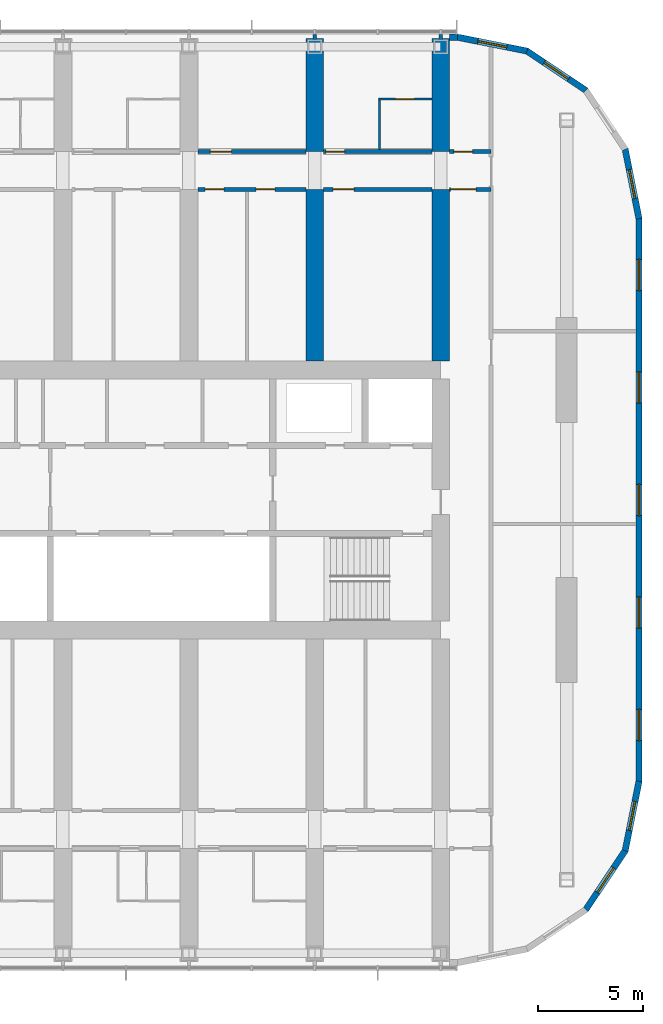
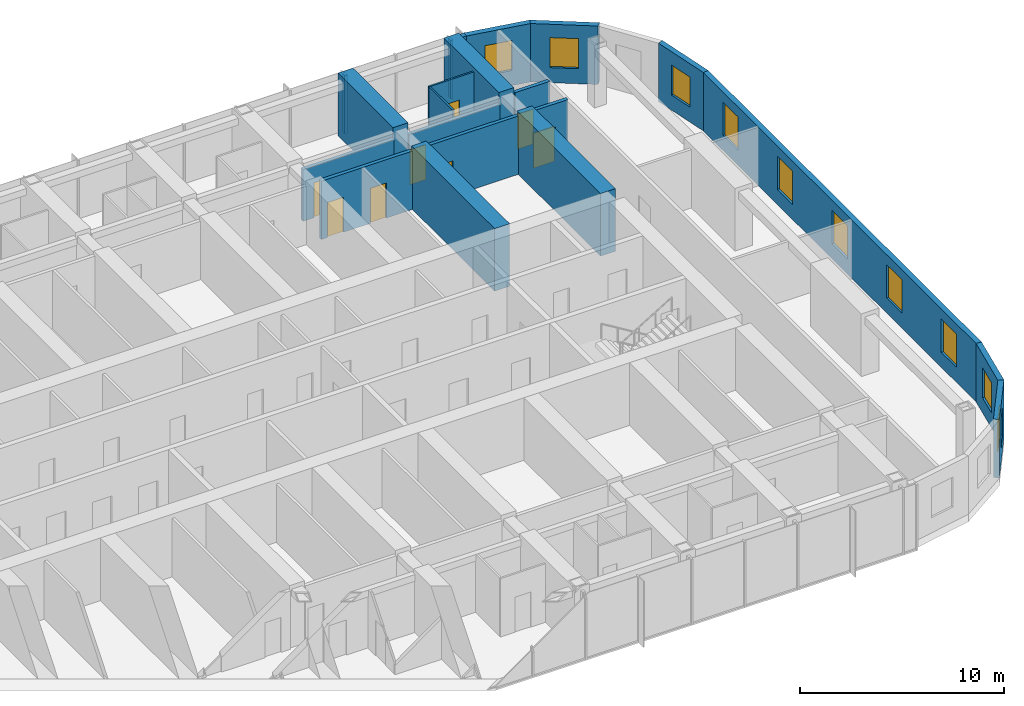
# One storey, part 21 of 29: 21 walls, 10 windows, 8 doors, 18 openings.
"""IFC4 building model written with IfcOpenShell, lengths in metres."""

import ifcopenshell
import ifcopenshell.guid

model = None  # the IFC model being written
_history = None  # IfcOwnerHistory: only IFC2X3 demands one
_inside = {}  # id of a spatial element -> (the spatial element, [elements in it])
_under = {}  # id of a project, library or spatial element -> (it, [spatial elements below it])
_declared = {}  # id of a project -> (the project, [libraries it declares])
_typed = {}  # id of a type object -> (the type object, [elements of that type])
_made_of = {}  # id of a material, layer set ... -> (it, [elements and type objects made of it])


def new_model(schema):
    """Start an empty IFC model of exactly this schema.

    Asked for "IFC4X3", IfcOpenShell would pick the latest addendum, in which some entities
    have other attributes; the version numbers below select the first issue.
    IFC2X3 requires an IfcOwnerHistory on every rooted entity: one is made here for all.
    """
    global model, _history
    if schema == "IFC4X3":
        model = ifcopenshell.file(schema_version=(4, 3, 0, 0))
    else:
        model = ifcopenshell.file(schema=schema)
    _inside.clear()
    _under.clear()
    _declared.clear()
    _typed.clear()
    _made_of.clear()
    _history = None
    if model.schema == "IFC2X3":
        org = make("IfcOrganization", Name="unknown")
        user = make(
            "IfcPersonAndOrganization",
            ThePerson=make("IfcPerson", FamilyName="unknown"),
            TheOrganization=org,
        )
        app = make(
            "IfcApplication",
            ApplicationDeveloper=org,
            Version="unknown",
            ApplicationFullName="unknown",
            ApplicationIdentifier="unknown",
        )
        _history = make(
            "IfcOwnerHistory",
            OwningUser=user,
            OwningApplication=app,
            ChangeAction="ADDED",
            CreationDate=0,
        )
    return model


def make(cls, **values):
    """One entity of the class cls with the attributes given. An attribute that is None is left unset."""
    return model.create_entity(
        cls, **{name: value for name, value in values.items() if value is not None}
    )


def rooted(cls, **values):
    """An entity with a GlobalId (a new one), such as an element, a storey or a relation."""
    return make(cls, GlobalId=ifcopenshell.guid.new(), OwnerHistory=_history, **values)


def si_unit(unit_type, name, prefix=None):
    """IfcSIUnit, for example si_unit("LENGTHUNIT", "METRE", prefix="MILLI")."""
    return make("IfcSIUnit", UnitType=unit_type, Prefix=prefix, Name=name)


def assignment(units):
    """IfcUnitAssignment: the units of a project."""
    return None if units is None else make("IfcUnitAssignment", Units=units)


def point(xyz):
    """IfcCartesianPoint."""
    return None if xyz is None else make("IfcCartesianPoint", Coordinates=xyz)


def direction(xyz):
    """IfcDirection."""
    return None if xyz is None else make("IfcDirection", DirectionRatios=xyz)


def frame(location, z_axis=None, x_axis=None):
    """IfcAxis2Placement3D, a coordinate frame: its origin and axes. An axis left out is left unset."""
    return make(
        "IfcAxis2Placement3D",
        Location=point(location),
        Axis=direction(z_axis),
        RefDirection=direction(x_axis),
    )


def frame_2d(location, x_axis=None):
    """IfcAxis2Placement2D, a coordinate frame in the plane: its origin and x axis."""
    return make(
        "IfcAxis2Placement2D", Location=point(location), RefDirection=direction(x_axis)
    )


def origin():
    """The frame at (0, 0, 0) with its axes left unset."""
    return frame((0.0, 0.0, 0.0))


def place(relative_to, where):
    """IfcLocalPlacement: puts the frame where relative to a parent placement (None: the world)."""
    return make(
        "IfcLocalPlacement", PlacementRelTo=relative_to, RelativePlacement=where
    )


def context(
    kind, dimensions, precision=None, world=None, true_north=None, identifier=None
):
    """IfcGeometricRepresentationContext, for example the 3D "Model" context."""
    return make(
        "IfcGeometricRepresentationContext",
        ContextIdentifier=identifier,
        ContextType=kind,
        CoordinateSpaceDimension=dimensions,
        Precision=precision,
        WorldCoordinateSystem=world,
        TrueNorth=true_north,
    )


def subcontext(parent, identifier, kind, view, scale=None):
    """IfcGeometricRepresentationSubContext, for example "Body" below "Model"."""
    return make(
        "IfcGeometricRepresentationSubContext",
        ContextIdentifier=identifier,
        ContextType=kind,
        ParentContext=parent,
        TargetScale=scale,
        TargetView=view,
    )


def project(units=None, contexts=None):
    """IfcProject with its units and contexts."""
    return rooted(
        "IfcProject",
        Name="project",
        RepresentationContexts=contexts,
        UnitsInContext=assignment(units),
    )


def spatial(cls, under=None, at=None, **own):
    """A site, building, storey or space (cls), placed at a placement, below another one or the project."""
    s = rooted(cls, ObjectPlacement=at, **own)
    if under is not None:
        _under.setdefault(under.id(), (under, []))[1].append(s)
    return s


def polyline(points):
    """IfcPolyline through the points."""
    return make("IfcPolyline", Points=[point(p) for p in points])


def profile(cls, at=None, kind="AREA", **sizes):
    """A parametric profile (cls). Its sizes go by their IFC names, for example OverallWidth=200.0."""
    return make(cls, ProfileType=kind, Position=at, **sizes)


def rectangle(**sizes):
    """IfcRectangleProfileDef."""
    return profile("IfcRectangleProfileDef", **sizes)


def outline(outer, holes=None, kind="AREA"):
    """IfcArbitraryClosedProfileDef: a profile drawn as a closed curve; with holes, ...WithVoids."""
    if holes is None:
        return make("IfcArbitraryClosedProfileDef", ProfileType=kind, OuterCurve=outer)
    return make(
        "IfcArbitraryProfileDefWithVoids",
        ProfileType=kind,
        OuterCurve=outer,
        InnerCurves=holes,
    )


def extrude(swept, where, along, depth):
    """IfcExtrudedAreaSolid: the profile swept, set in the frame where, extruded along a direction by depth."""
    return make(
        "IfcExtrudedAreaSolid",
        SweptArea=swept,
        Position=where,
        ExtrudedDirection=direction(along),
        Depth=depth,
    )


def shape(context_of_items, identifier, shape_type, items):
    """IfcShapeRepresentation: the items that make up one representation, for example the "Body"."""
    return make(
        "IfcShapeRepresentation",
        ContextOfItems=context_of_items,
        RepresentationIdentifier=identifier,
        RepresentationType=shape_type,
        Items=items,
    )


def material(Name=None, Category=None):
    """IfcMaterial."""
    return make("IfcMaterial", Name=Name, Category=Category)


def layer(
    of_material, thickness, ventilated=None, Name=None, Category=None, Priority=None
):
    """IfcMaterialLayer: one layer of a wall or slab, of a material (None: an air gap)."""
    return make(
        "IfcMaterialLayer",
        Material=of_material,
        LayerThickness=thickness,
        IsVentilated=ventilated,
        Name=Name,
        Category=Category,
        Priority=Priority,
    )


def layer_set(layers, Name=None):
    """IfcMaterialLayerSet."""
    return make("IfcMaterialLayerSet", MaterialLayers=layers, LayerSetName=Name)


def made_of(thing, what):
    """Note that an element or type object is made of a material, layer set ...; save() writes the relation."""
    if what is not None:
        _made_of.setdefault(what.id(), (what, []))[1].append(thing)
    return thing


def type_object(cls, material=None, **own):
    """A type object (cls), such as IfcWallType, which elements share."""
    return made_of(rooted(cls, **own), material)


def element(
    cls,
    number,
    at=None,
    inside=None,
    cuts=None,
    type_object=None,
    material=None,
    context=None,
    identifier="Body",
    shape_type=None,
    held_by="IfcProductDefinitionShape",
    body=None,
    shapes=None,
    **own,
):
    """One element of the class cls, such as IfcWall. Its Tag is "e" and its number.

    at: its placement. inside: the storey or other place that contains it. cuts: it is an
    opening in that element (IfcRelVoidsElement). A single representation is given by context,
    identifier, shape_type and body (its items); several are given by shapes. held_by: the class
    of the entity that holds the representations. save() writes the other relations.
    """
    e = rooted(cls, Tag="e%d" % number, ObjectPlacement=at, **own)
    if body is not None:
        shapes = [shape(context, identifier, shape_type, body)]
    if shapes is not None:
        e.Representation = make(held_by, Representations=shapes)
    if inside is not None:
        _inside.setdefault(inside.id(), (inside, []))[1].append(e)
    if cuts is not None:
        rooted(
            "IfcRelVoidsElement", RelatingBuildingElement=cuts, RelatedOpeningElement=e
        )
    if type_object is not None:
        _typed.setdefault(type_object.id(), (type_object, []))[1].append(e)
    return made_of(e, material)


def fill(opening, filler):
    """IfcRelFillsElement: the door or window that sits in an opening."""
    return rooted(
        "IfcRelFillsElement",
        RelatingOpeningElement=opening,
        RelatedBuildingElement=filler,
    )


def aggregate(whole, parts):
    """IfcRelAggregates: a whole, such as a stair, and the parts it consists of."""
    return rooted("IfcRelAggregates", RelatingObject=whole, RelatedObjects=parts)


def save(model, path):
    """Write the relations noted so far, then the file.

    IfcRelAggregates (storeys below a building ...), IfcRelContainedInSpatialStructure (elements
    in a storey), IfcRelDefinesByType, IfcRelAssociatesMaterial and IfcRelDeclares: one each for
    every whole, place, type object, material and project.
    """
    for whole, parts in _under.values():
        aggregate(whole, parts)
    for where, things in _inside.values():
        rooted(
            "IfcRelContainedInSpatialStructure",
            RelatedElements=things,
            RelatingStructure=where,
        )
    for kind, things in _typed.values():
        rooted("IfcRelDefinesByType", RelatedObjects=things, RelatingType=kind)
    for what, things in _made_of.values():
        rooted("IfcRelAssociatesMaterial", RelatedObjects=things, RelatingMaterial=what)
    for by, libraries in _declared.values():
        rooted("IfcRelDeclares", RelatingContext=by, RelatedDefinitions=libraries)
    model.write(path)


model = new_model("IFC4")

# Units and contexts
model_context = context("Model", 3, precision=1e-05, world=origin(), true_north=direction((0.0, 1.0)))
body_context = subcontext(model_context, "Body", "Model", "MODEL_VIEW")
ifc_project = project(units=[si_unit("LENGTHUNIT", "METRE"), si_unit("AREAUNIT", "SQUARE_METRE"), si_unit("VOLUMEUNIT", "CUBIC_METRE"), si_unit("PLANEANGLEUNIT", "RADIAN"), si_unit("MASSUNIT", "GRAM", prefix="KILO")], contexts=[model_context])

# Site, building, storey
site_placement = place(None, origin())
site = spatial("IfcSite", under=ifc_project, at=site_placement, CompositionType="ELEMENT")
building_placement = place(site_placement, origin())
building = spatial("IfcBuilding", under=site, at=building_placement, Name="Orbita Commons", CompositionType="ELEMENT")
storey_placement = place(building_placement, frame((0.0, 0.0, 148.60009765625)))
storey = spatial("IfcBuildingStorey", under=building, at=storey_placement, Name="L36", CompositionType="ELEMENT", Elevation=148.60009765625)

# Wall, opening, door
ifc_material_1 = material(Name="Concrete blockwork", Category="masonry")
ifc_layer_1 = layer(ifc_material_1, 0.199951171875)
ifc_layer_set_1 = layer_set([ifc_layer_1], Name="Concrete blockwork")
wall_type_1 = type_object("IfcWallType", Name="Corridor wall 200 blockwork", PredefinedType="SOLIDWALL", material=ifc_layer_set_1)
wall_1_placement = place(storey_placement, frame((54.425048828125, 48.60009765625, 0.0), z_axis=(0.0, 0.0, 1.0), x_axis=(1.0, 0.0, 0.0)))
wall_1 = element("IfcWall", 1, at=wall_1_placement, inside=storey, type_object=wall_type_1, Name="Corridor wall 200 blockwork L36", PredefinedType="SOLIDWALL", context=body_context, shape_type="SweptSolid", body=[
    extrude(outline(polyline([(0.0, 0.0), (5.14990234375, 0.0), (5.14990234375, 3.099853515625), (0.0, 3.099853515625), (0.0, 0.0)])), frame((0.0, 0.10009765625, 0.0), z_axis=(0.0, -1.0, 0.0), x_axis=(1.0, 0.0, 0.0)), (0.0, 0.0, 1.0), 0.199951171875),
])
opening_1_placement = place(wall_1_placement, frame((0.60009765625, 0.0, 0.0)))
opening_1 = element("IfcOpeningElement", 2, at=opening_1_placement, cuts=wall_1, Name="Opening D06", PredefinedType="OPENING", context=body_context, shape_type="SweptSolid", body=[
    extrude(rectangle(XDim=1.0, YDim=2.10009765625, at=frame_2d((0.5, 1.050048828125))), frame((0.0, 0.10986328125, 0.0), z_axis=(0.0, -1.0, 0.0), x_axis=(1.0, 0.0, 0.0)), (0.0, 0.0, 1.0), 0.219970703125),
])
ifc_material_2 = material(Name="Steel-faced fire door leaf", Category="steel")
door_type_1 = type_object("IfcDoorType", Name="Corridor door 20 min 1000x2100", OperationType="SINGLE_SWING_LEFT", PredefinedType="DOOR", material=ifc_material_2)
door_1_placement = place(opening_1_placement, origin())
door_1 = element("IfcDoor", 3, at=door_1_placement, inside=storey, type_object=door_type_1, Name="Cluster kitchen-diner L36-N12 door", OperationType="SINGLE_SWING_LEFT", OverallHeight=2.10009765625, OverallWidth=1.0, PredefinedType="DOOR", context=body_context, shape_type="SweptSolid", body=[
    extrude(rectangle(XDim=1.0, YDim=2.10009765625, at=frame_2d((0.5, 1.050048828125))), frame((0.0, 0.02490234375, 0.0), z_axis=(0.0, -1.0, 0.0), x_axis=(1.0, 0.0, 0.0)), (0.0, 0.0, 1.0), 0.050048828125),
])
fill(opening_1, door_1)

wall_2_placement = place(storey_placement, frame((60.425048828125, 48.60009765625, 0.0), z_axis=(0.0, 0.0, 1.0), x_axis=(1.0, 0.0, 0.0)))
wall_2 = element("IfcWall", 4, at=wall_2_placement, inside=storey, type_object=wall_type_1, Name="Corridor wall 200 blockwork L36", PredefinedType="SOLIDWALL", context=body_context, shape_type="SweptSolid", body=[
    extrude(outline(polyline([(0.0, 0.0), (5.14990234375, 0.0), (5.14990234375, 3.099853515625), (0.0, 3.099853515625), (0.0, 0.0)])), frame((0.0, 0.10009765625, 0.0), z_axis=(0.0, -1.0, 0.0), x_axis=(1.0, 0.0, 0.0)), (0.0, 0.0, 1.0), 0.199951171875),
])
opening_2_placement = place(wall_2_placement, frame((0.10009765625, 0.0, 0.0)))
opening_2 = element("IfcOpeningElement", 5, at=opening_2_placement, cuts=wall_2, Name="Opening D11", PredefinedType="OPENING", context=body_context, shape_type="SweptSolid", body=[
    extrude(rectangle(XDim=0.89990234375, YDim=2.10009765625, at=frame_2d((0.449951171875, 1.050048828125))), frame((0.0, 0.10986328125, 0.0), z_axis=(0.0, -1.0, 0.0), x_axis=(1.0, 0.0, 0.0)), (0.0, 0.0, 1.0), 0.219970703125),
])
ifc_material_3 = material(Name="Steel-faced fire door leaf", Category="steel")
door_type_2 = type_object("IfcDoorType", Name="Corridor door 20 min 900x2100", OperationType="SINGLE_SWING_LEFT", PredefinedType="DOOR", material=ifc_material_3)
door_2_placement = place(opening_2_placement, origin())
door_2 = element("IfcDoor", 6, at=door_2_placement, inside=storey, type_object=door_type_2, Name="Twin room L36-N14 door", OperationType="SINGLE_SWING_LEFT", OverallHeight=2.10009765625, OverallWidth=0.89990234375, PredefinedType="DOOR", context=body_context, shape_type="SweptSolid", body=[
    extrude(rectangle(XDim=0.89990234375, YDim=2.10009765625, at=frame_2d((0.449951171875, 1.050048828125))), frame((0.0, 0.02490234375, 0.0), z_axis=(0.0, -1.0, 0.0), x_axis=(1.0, 0.0, 0.0)), (0.0, 0.0, 1.0), 0.050048828125),
])
fill(opening_2, door_2)

wall_3_placement = place(storey_placement, frame((66.425048828125, 48.60009765625, 0.0), z_axis=(0.0, 0.0, 1.0), x_axis=(1.0, 0.0, 0.0)))
wall_3 = element("IfcWall", 7, at=wall_3_placement, inside=storey, type_object=wall_type_1, Name="Corridor wall 200 blockwork L36", PredefinedType="SOLIDWALL", context=body_context, shape_type="SweptSolid", body=[
    extrude(rectangle(XDim=1.974853515625, YDim=0.199951171875, at=frame_2d((0.9873046875, 0.0))), origin(), (0.0, 0.0, 1.0), 3.5),
])
opening_3_placement = place(wall_3_placement, frame((0.199951171875, 0.0, 0.0)))
opening_3 = element("IfcOpeningElement", 8, at=opening_3_placement, cuts=wall_3, Name="Opening D05", PredefinedType="OPENING", context=body_context, shape_type="SweptSolid", body=[
    extrude(rectangle(XDim=0.89990234375, YDim=2.10009765625, at=frame_2d((0.449951171875, 1.050048828125))), frame((0.0, 0.10986328125, 0.0), z_axis=(0.0, -1.0, 0.0), x_axis=(1.0, 0.0, 0.0)), (0.0, 0.0, 1.0), 0.219970703125),
])
ifc_material_4 = material(Name="Steel-faced fire door leaf", Category="steel")
door_type_3 = type_object("IfcDoorType", Name="Service door 20 min 900x2100", OperationType="SINGLE_SWING_LEFT", PredefinedType="DOOR", material=ifc_material_4)
door_3_placement = place(opening_3_placement, origin())
door_3 = element("IfcDoor", 9, at=door_3_placement, inside=storey, type_object=door_type_3, Name="Linen store L36-KEN door", OperationType="SINGLE_SWING_LEFT", OverallHeight=2.10009765625, OverallWidth=0.89990234375, PredefinedType="DOOR", context=body_context, shape_type="SweptSolid", body=[
    extrude(rectangle(XDim=0.89990234375, YDim=2.10009765625, at=frame_2d((0.449951171875, 1.050048828125))), frame((0.0, 0.02490234375, 0.0), z_axis=(0.0, -1.0, 0.0), x_axis=(1.0, 0.0, 0.0)), (0.0, 0.0, 1.0), 0.050048828125),
])
fill(opening_3, door_3)

# Wall, openings, doors
ifc_material_5 = material(Name="Hollow concrete block 200", Category="concrete")
ifc_layer_2 = layer(ifc_material_5, 0.199951171875)
ifc_layer_set_2 = layer_set([ifc_layer_2], Name="Hollow concrete block 200")
wall_type_2 = type_object("IfcWallType", Name="Corridor wall 200 hollow concrete block", PredefinedType="SOLIDWALL", material=ifc_layer_set_2)
wall_4_placement = place(storey_placement, frame((54.425048828125, 46.800048828125, 0.0), z_axis=(0.0, 0.0, 1.0), x_axis=(1.0, 0.0, 0.0)))
wall_4 = element("IfcWall", 10, at=wall_4_placement, inside=storey, type_object=wall_type_2, Name="Corridor wall 200 hollow concrete block L36", PredefinedType="SOLIDWALL", context=body_context, shape_type="SweptSolid", body=[
    extrude(rectangle(XDim=5.14990234375, YDim=0.199951171875, at=frame_2d((2.574951171875, 0.0))), origin(), (0.0, 0.0, 1.0), 3.5),
])
opening_4_placement = place(wall_4_placement, frame((0.35009765625, 0.0, 0.0)))
opening_4 = element("IfcOpeningElement", 11, at=opening_4_placement, cuts=wall_4, Name="Opening D11", PredefinedType="OPENING", context=body_context, shape_type="SweptSolid", body=[
    extrude(rectangle(XDim=0.89990234375, YDim=2.10009765625, at=frame_2d((0.449951171875, 1.050048828125))), frame((0.0, 0.10986328125, 0.0), z_axis=(0.0, -1.0, 0.0), x_axis=(1.0, 0.0, 0.0)), (0.0, 0.0, 1.0), 0.219970703125),
])
opening_5_placement = place(wall_4_placement, frame((2.77490234375, 0.0, 0.0)))
opening_5 = element("IfcOpeningElement", 12, at=opening_5_placement, cuts=wall_4, Name="Opening D11", PredefinedType="OPENING", context=body_context, shape_type="SweptSolid", body=[
    extrude(rectangle(XDim=0.89990234375, YDim=2.10009765625, at=frame_2d((0.449951171875, 1.050048828125))), frame((0.0, 0.10986328125, 0.0), z_axis=(0.0, -1.0, 0.0), x_axis=(1.0, 0.0, 0.0)), (0.0, 0.0, 1.0), 0.219970703125),
])
door_4_placement = place(opening_4_placement, origin())
door_4 = element("IfcDoor", 13, at=door_4_placement, inside=storey, type_object=door_type_2, Name="Battery and UPS room L36-BDN54n door", OperationType="SINGLE_SWING_LEFT", OverallHeight=2.10009765625, OverallWidth=0.89990234375, PredefinedType="DOOR", context=body_context, shape_type="SweptSolid", body=[
    extrude(rectangle(XDim=0.89990234375, YDim=2.10009765625, at=frame_2d((0.449951171875, 1.050048828125))), frame((0.0, 0.02490234375, 0.0), z_axis=(0.0, -1.0, 0.0), x_axis=(1.0, 0.0, 0.0)), (0.0, 0.0, 1.0), 0.050048828125),
])
fill(opening_4, door_4)
door_5_placement = place(opening_5_placement, origin())
door_5 = element("IfcDoor", 14, at=door_5_placement, inside=storey, type_object=door_type_2, Name="Parcel and post room L36-BDN54 door", OperationType="SINGLE_SWING_LEFT", OverallHeight=2.10009765625, OverallWidth=0.89990234375, PredefinedType="DOOR", context=body_context, shape_type="SweptSolid", body=[
    extrude(rectangle(XDim=0.89990234375, YDim=2.10009765625, at=frame_2d((0.449951171875, 1.050048828125))), frame((0.0, 0.02490234375, 0.0), z_axis=(0.0, -1.0, 0.0), x_axis=(1.0, 0.0, 0.0)), (0.0, 0.0, 1.0), 0.050048828125),
])
fill(opening_5, door_5)

# Wall, opening, door
wall_5_placement = place(storey_placement, frame((60.425048828125, 46.800048828125, 0.0), z_axis=(0.0, 0.0, 1.0), x_axis=(1.0, 0.0, 0.0)))
wall_5 = element("IfcWall", 15, at=wall_5_placement, inside=storey, type_object=wall_type_2, Name="Corridor wall 200 hollow concrete block L36", PredefinedType="SOLIDWALL", context=body_context, shape_type="SweptSolid", body=[
    extrude(rectangle(XDim=5.14990234375, YDim=0.199951171875, at=frame_2d((2.574951171875, 0.0))), origin(), (0.0, 0.0, 1.0), 3.5),
])
opening_6_placement = place(wall_5_placement, frame((0.449951171875, 0.0, 0.0)))
opening_6 = element("IfcOpeningElement", 16, at=opening_6_placement, cuts=wall_5, Name="Opening D06", PredefinedType="OPENING", context=body_context, shape_type="SweptSolid", body=[
    extrude(rectangle(XDim=1.0, YDim=2.10009765625, at=frame_2d((0.5, 1.050048828125))), frame((0.0, 0.10986328125, 0.0), z_axis=(0.0, -1.0, 0.0), x_axis=(1.0, 0.0, 0.0)), (0.0, 0.0, 1.0), 0.219970703125),
])
door_6_placement = place(opening_6_placement, origin())
door_6 = element("IfcDoor", 17, at=door_6_placement, inside=storey, type_object=door_type_1, Name="Store L36-BDN60 door", OperationType="SINGLE_SWING_LEFT", OverallHeight=2.10009765625, OverallWidth=1.0, PredefinedType="DOOR", context=body_context, shape_type="SweptSolid", body=[
    extrude(rectangle(XDim=1.0, YDim=2.10009765625, at=frame_2d((0.5, 1.050048828125))), frame((0.0, 0.02490234375, 0.0), z_axis=(0.0, -1.0, 0.0), x_axis=(1.0, 0.0, 0.0)), (0.0, 0.0, 1.0), 0.050048828125),
])
fill(opening_6, door_6)

wall_6_placement = place(storey_placement, frame((66.425048828125, 46.800048828125, 0.0), z_axis=(0.0, 0.0, 1.0), x_axis=(1.0, 0.0, 0.0)))
wall_6 = element("IfcWall", 18, at=wall_6_placement, inside=storey, type_object=wall_type_2, Name="Corridor wall 200 hollow concrete block L36", PredefinedType="SOLIDWALL", context=body_context, shape_type="SweptSolid", body=[
    extrude(rectangle(XDim=1.974853515625, YDim=0.199951171875, at=frame_2d((0.9873046875, 0.0))), origin(), (0.0, 0.0, 1.0), 3.5),
])
opening_7_placement = place(wall_6_placement, frame((0.050048828125, 0.0, 0.0)))
opening_7 = element("IfcOpeningElement", 19, at=opening_7_placement, cuts=wall_6, Name="Opening D12", PredefinedType="OPENING", context=body_context, shape_type="SweptSolid", body=[
    extrude(rectangle(XDim=1.199951171875, YDim=2.10009765625, at=frame_2d((0.60009765625, 1.050048828125))), frame((0.0, 0.10986328125, 0.0), z_axis=(0.0, -1.0, 0.0), x_axis=(1.0, 0.0, 0.0)), (0.0, 0.0, 1.0), 0.219970703125),
])
ifc_material_6 = material(Name="Steel-faced fire door leaf", Category="steel")
door_type_4 = type_object("IfcDoorType", Name="Double corridor door 20 min 1200x2100", OperationType="DOUBLE_DOOR_SINGLE_SWING", PredefinedType="DOOR", material=ifc_material_6)
door_7_placement = place(opening_7_placement, origin())
door_7 = element("IfcDoor", 20, at=door_7_placement, inside=storey, type_object=door_type_4, Name="Cross corridor doors", OperationType="DOUBLE_DOOR_SINGLE_SWING", OverallHeight=2.10009765625, OverallWidth=1.199951171875, PredefinedType="DOOR", context=body_context, shape_type="SweptSolid", body=[
    extrude(rectangle(XDim=1.199951171875, YDim=2.10009765625, at=frame_2d((0.60009765625, 1.050048828125))), frame((0.0, 0.02490234375, 0.0), z_axis=(0.0, -1.0, 0.0), x_axis=(1.0, 0.0, 0.0)), (0.0, 0.0, 1.0), 0.050048828125),
])
fill(opening_7, door_7)

# Walls
ifc_material_7 = material(Name="Concrete C50/60", Category="concrete")
ifc_layer_3 = layer(ifc_material_7, 0.85009765625)
ifc_layer_set_3 = layer_set([ifc_layer_3], Name="Concrete C50/60")
wall_type_3 = type_object("IfcWallType", Name="Cross wall 850 C50/60", PredefinedType="SHEAR", material=ifc_layer_set_3)
wall_7_placement = place(storey_placement, frame((60.0, 48.60009765625, 0.0), z_axis=(0.0, 0.0, 1.0), x_axis=(0.0, 1.0, 0.0)))
element("IfcWall", 21, at=wall_7_placement, inside=storey, type_object=wall_type_3, Name="Cross wall 11 north outer L36", PredefinedType="SHEAR", context=body_context, shape_type="SweptSolid", body=[
    extrude(rectangle(XDim=5.39990234375, YDim=0.85009765625, at=frame_2d((2.699951171875, 0.0))), origin(), (0.0, 0.0, 1.0), 3.75),
])
wall_8_placement = place(storey_placement, frame((60.0, 38.625, 0.0), z_axis=(0.0, 0.0, 1.0), x_axis=(0.0, 1.0, 0.0)))
element("IfcWall", 22, at=wall_8_placement, inside=storey, type_object=wall_type_3, Name="Cross wall 11 north inner L36", PredefinedType="SHEAR", context=body_context, shape_type="SweptSolid", body=[
    extrude(rectangle(XDim=8.175048828125, YDim=0.85009765625, at=frame_2d((4.08740234375, 0.0))), origin(), (0.0, 0.0, 1.0), 3.75),
])
wall_9_placement = place(storey_placement, frame((66.0, 48.60009765625, 0.0), z_axis=(0.0, 0.0, 1.0), x_axis=(0.0, 1.0, 0.0)))
element("IfcWall", 23, at=wall_9_placement, inside=storey, type_object=wall_type_3, Name="Cross wall 12 north outer L36", PredefinedType="SHEAR", context=body_context, shape_type="SweptSolid", body=[
    extrude(rectangle(XDim=5.39990234375, YDim=0.85009765625, at=frame_2d((2.699951171875, 0.0))), origin(), (0.0, 0.0, 1.0), 3.75),
])
wall_10_placement = place(storey_placement, frame((66.0, 38.625, 0.0), z_axis=(0.0, 0.0, 1.0), x_axis=(0.0, 1.0, 0.0)))
element("IfcWall", 24, at=wall_10_placement, inside=storey, type_object=wall_type_3, Name="Cross wall 12 north inner L36", PredefinedType="SHEAR", context=body_context, shape_type="SweptSolid", body=[
    extrude(rectangle(XDim=8.175048828125, YDim=0.85009765625, at=frame_2d((4.08740234375, 0.0))), origin(), (0.0, 0.0, 1.0), 3.75),
])

# Wall, opening, door
ifc_material_8 = material(Name="Moisture-resistant plasterboard on steel studs", Category="steel")
ifc_layer_4 = layer(ifc_material_8, 0.10009765625)
ifc_layer_set_4 = layer_set([ifc_layer_4], Name="Moisture-resistant plasterboard on steel studs")
wall_type_4 = type_object("IfcWallType", Name="En-suite partition 100", PredefinedType="PARTITIONING", material=ifc_layer_set_4)
wall_11_placement = place(storey_placement, frame((63.02490234375, 51.10009765625, 0.0), z_axis=(0.0, 0.0, 1.0), x_axis=(1.0, 0.0, 0.0)))
wall_11 = element("IfcWall", 25, at=wall_11_placement, inside=storey, type_object=wall_type_4, Name="En-suite partition 100 L36", PredefinedType="PARTITIONING", context=body_context, shape_type="SweptSolid", body=[
    extrude(rectangle(XDim=2.550048828125, YDim=0.10009765625, at=frame_2d((1.27490234375, 0.0))), origin(), (0.0, 0.0, 1.0), 3.5),
])
opening_8_placement = place(wall_11_placement, frame((0.824951171875, 0.0, 0.0)))
opening_8 = element("IfcOpeningElement", 26, at=opening_8_placement, cuts=wall_11, Name="Opening D09", PredefinedType="OPENING", context=body_context, shape_type="SweptSolid", body=[
    extrude(rectangle(XDim=0.89990234375, YDim=2.10009765625, at=frame_2d((0.449951171875, 1.050048828125))), frame((0.0, 0.06005859375, 0.0), z_axis=(0.0, -1.0, 0.0), x_axis=(1.0, 0.0, 0.0)), (0.0, 0.0, 1.0), 0.1201171875),
])
ifc_material_9 = material(Name="Laminated timber door leaf", Category="wood")
door_type_5 = type_object("IfcDoorType", Name="En-suite door 900x2100", OperationType="SINGLE_SWING_RIGHT", PredefinedType="DOOR", material=ifc_material_9)
door_8_placement = place(opening_8_placement, origin())
door_8 = element("IfcDoor", 27, at=door_8_placement, inside=storey, type_object=door_type_5, Name="En-suite L36-N14 door", OperationType="SINGLE_SWING_RIGHT", OverallHeight=2.10009765625, OverallWidth=0.89990234375, PredefinedType="DOOR", context=body_context, shape_type="SweptSolid", body=[
    extrude(rectangle(XDim=0.89990234375, YDim=2.10009765625, at=frame_2d((0.449951171875, 1.050048828125))), frame((0.0, 0.02490234375, 0.0), z_axis=(0.0, -1.0, 0.0), x_axis=(1.0, 0.0, 0.0)), (0.0, 0.0, 1.0), 0.050048828125),
])
fill(opening_8, door_8)

# Walls
wall_12_placement = place(storey_placement, frame((63.074951171875, 51.050048828125, 0.0), z_axis=(0.0, 0.0, 1.0), x_axis=(0.0, -1.0, 0.0)))
element("IfcWall", 28, at=wall_12_placement, inside=storey, type_object=wall_type_4, Name="En-suite partition 100 L36", PredefinedType="PARTITIONING", context=body_context, shape_type="SweptSolid", body=[
    extrude(outline(polyline([(0.0, 0.0), (2.35009765625, 0.0), (2.35009765625, 3.099853515625), (2.302001953125, 3.099853515625), (2.300048828125, 3.5), (0.0, 3.5), (0.0, 0.0)])), frame((0.0, 0.050048828125, 0.0), z_axis=(0.0, -1.0, 0.0), x_axis=(1.0, 0.0, 0.0)), (0.0, 0.0, 1.0), 0.10009765625),
])
ifc_material_10 = material(Name="Gypsum plasterboard on steel studs", Category="steel")
ifc_layer_5 = layer(ifc_material_10, 0.14990234375)
ifc_layer_set_5 = layer_set([ifc_layer_5], Name="Gypsum plasterboard on steel studs")
wall_type_5 = type_object("IfcWallType", Name="Partition 150 plasterboard", PredefinedType="PARTITIONING", material=ifc_layer_set_5)
for number, where, z_axis, x_axis, name in (
    (29, (60.0, 53.949951171875, 0.0), (0.0, 0.0, 1.0), (0.0, 1.0, 0.0), "Partition 150 plasterboard L36"),
    (30, (66.0, 53.949951171875, 0.0), (0.0, 0.0, 1.0), (0.0, 1.0, 0.0), "Partition 150 plasterboard L36"),
):
    element("IfcWall", number, at=place(storey_placement, frame(where, z_axis=z_axis, x_axis=x_axis)), inside=storey, type_object=wall_type_5, Name=name, PredefinedType="PARTITIONING", context=body_context, shape_type="SweptSolid", body=[
        extrude(rectangle(XDim=0.239990234375, YDim=0.14990234375, at=frame_2d((0.1201171875, 0.0))), origin(), (0.0, 0.0, 1.0), 3.5),
    ])

# Wall, openings, windows
ifc_material_11 = material(Name="Precast concrete C40/50, white board-marked finish", Category="concrete")
ifc_layer_6 = layer(ifc_material_11, 0.300048828125)
ifc_layer_set_6 = layer_set([ifc_layer_6], Name="Precast concrete C40/50, white board-marked finish")
wall_type_6 = type_object("IfcWallType", Name="Precast concrete end shield 300", PredefinedType="SOLIDWALL", material=ifc_layer_set_6)
wall_13_placement = place(storey_placement, frame((75.449951171875, 18.60009765625, 0.0), z_axis=(0.0, 0.0, 1.0), x_axis=(0.0, 1.0, 0.0)))
wall_13 = element("IfcWall", 31, at=wall_13_placement, inside=storey, type_object=wall_type_6, Name="End shield E L36", PredefinedType="SOLIDWALL", context=body_context, shape_type="SweptSolid", body=[
    extrude(outline(polyline([(-0.014892578125, -0.14990234375), (26.814697265625, -0.14990234375), (26.784912109375, 0.14990234375), (0.014892578125, 0.14990234375), (-0.014892578125, -0.14990234375)])), origin(), (0.0, 0.0, 1.0), 3.5),
])
opening_9_placement = place(wall_13_placement, frame((1.929931640625, 0.0, 0.89990234375)))
opening_9 = element("IfcOpeningElement", 32, at=opening_9_placement, cuts=wall_13, Name="Opening W01", PredefinedType="OPENING", context=body_context, shape_type="SweptSolid", body=[
    extrude(rectangle(XDim=1.5, YDim=2.0, at=frame_2d((0.75, 1.0))), frame((0.0, 0.159912109375, 0.0), z_axis=(0.0, -1.0, 0.0), x_axis=(1.0, 0.0, 0.0)), (0.0, 0.0, 1.0), 0.320068359375),
])
opening_10_placement = place(wall_13_placement, frame((7.2900390625, 0.0, 0.89990234375)))
opening_10 = element("IfcOpeningElement", 33, at=opening_10_placement, cuts=wall_13, Name="Opening W01", PredefinedType="OPENING", context=body_context, shape_type="SweptSolid", body=[
    extrude(rectangle(XDim=1.5, YDim=2.0, at=frame_2d((0.75, 1.0))), frame((0.0, 0.159912109375, 0.0), z_axis=(0.0, -1.0, 0.0), x_axis=(1.0, 0.0, 0.0)), (0.0, 0.0, 1.0), 0.320068359375),
])
opening_11_placement = place(wall_13_placement, frame((12.64990234375, 0.0, 0.89990234375)))
opening_11 = element("IfcOpeningElement", 34, at=opening_11_placement, cuts=wall_13, Name="Opening W01", PredefinedType="OPENING", context=body_context, shape_type="SweptSolid", body=[
    extrude(rectangle(XDim=1.5, YDim=2.0, at=frame_2d((0.75, 1.0))), frame((0.0, 0.159912109375, 0.0), z_axis=(0.0, -1.0, 0.0), x_axis=(1.0, 0.0, 0.0)), (0.0, 0.0, 1.0), 0.320068359375),
])
opening_12_placement = place(wall_13_placement, frame((18.010009765625, 0.0, 0.89990234375)))
opening_12 = element("IfcOpeningElement", 35, at=opening_12_placement, cuts=wall_13, Name="Opening W01", PredefinedType="OPENING", context=body_context, shape_type="SweptSolid", body=[
    extrude(rectangle(XDim=1.5, YDim=2.0, at=frame_2d((0.75, 1.0))), frame((0.0, 0.159912109375, 0.0), z_axis=(0.0, -1.0, 0.0), x_axis=(1.0, 0.0, 0.0)), (0.0, 0.0, 1.0), 0.320068359375),
])
opening_13_placement = place(wall_13_placement, frame((23.3701171875, 0.0, 0.89990234375)))
opening_13 = element("IfcOpeningElement", 36, at=opening_13_placement, cuts=wall_13, Name="Opening W01", PredefinedType="OPENING", context=body_context, shape_type="SweptSolid", body=[
    extrude(rectangle(XDim=1.5, YDim=2.0, at=frame_2d((0.75, 1.0))), frame((0.0, 0.159912109375, 0.0), z_axis=(0.0, -1.0, 0.0), x_axis=(1.0, 0.0, 0.0)), (0.0, 0.0, 1.0), 0.320068359375),
])
ifc_material_12 = material(Name="Aluminium frame, clear double glazing", Category="aluminium")
window_type_1 = type_object("IfcWindowType", Name="Deep-set window 1500x2000", PartitioningType="SINGLE_PANEL", PredefinedType="WINDOW", material=ifc_material_12)
window_1_placement = place(opening_9_placement, origin())
window_1 = element("IfcWindow", 37, at=window_1_placement, inside=storey, type_object=window_type_1, Name="Window L36-E 1", OverallHeight=2.0, OverallWidth=1.5, PartitioningType="SINGLE_PANEL", PredefinedType="WINDOW", context=body_context, shape_type="SweptSolid", body=[
    extrude(rectangle(XDim=1.5, YDim=2.0, at=frame_2d((0.75, 1.0))), frame((0.0, 0.030029296875, 0.0), z_axis=(0.0, -1.0, 0.0), x_axis=(1.0, 0.0, 0.0)), (0.0, 0.0, 1.0), 0.06005859375),
])
fill(opening_9, window_1)
window_2_placement = place(opening_10_placement, origin())
window_2 = element("IfcWindow", 38, at=window_2_placement, inside=storey, type_object=window_type_1, Name="Window L36-E 2", OverallHeight=2.0, OverallWidth=1.5, PartitioningType="SINGLE_PANEL", PredefinedType="WINDOW", context=body_context, shape_type="SweptSolid", body=[
    extrude(rectangle(XDim=1.5, YDim=2.0, at=frame_2d((0.75, 1.0))), frame((0.0, 0.030029296875, 0.0), z_axis=(0.0, -1.0, 0.0), x_axis=(1.0, 0.0, 0.0)), (0.0, 0.0, 1.0), 0.06005859375),
])
fill(opening_10, window_2)
window_3_placement = place(opening_11_placement, origin())
window_3 = element("IfcWindow", 39, at=window_3_placement, inside=storey, type_object=window_type_1, Name="Window L36-E 3", OverallHeight=2.0, OverallWidth=1.5, PartitioningType="SINGLE_PANEL", PredefinedType="WINDOW", context=body_context, shape_type="SweptSolid", body=[
    extrude(rectangle(XDim=1.5, YDim=2.0, at=frame_2d((0.75, 1.0))), frame((0.0, 0.030029296875, 0.0), z_axis=(0.0, -1.0, 0.0), x_axis=(1.0, 0.0, 0.0)), (0.0, 0.0, 1.0), 0.06005859375),
])
fill(opening_11, window_3)
window_4_placement = place(opening_12_placement, origin())
window_4 = element("IfcWindow", 40, at=window_4_placement, inside=storey, type_object=window_type_1, Name="Window L36-E 4", OverallHeight=2.0, OverallWidth=1.5, PartitioningType="SINGLE_PANEL", PredefinedType="WINDOW", context=body_context, shape_type="SweptSolid", body=[
    extrude(rectangle(XDim=1.5, YDim=2.0, at=frame_2d((0.75, 1.0))), frame((0.0, 0.030029296875, 0.0), z_axis=(0.0, -1.0, 0.0), x_axis=(1.0, 0.0, 0.0)), (0.0, 0.0, 1.0), 0.06005859375),
])
fill(opening_12, window_4)
window_5_placement = place(opening_13_placement, origin())
window_5 = element("IfcWindow", 41, at=window_5_placement, inside=storey, type_object=window_type_1, Name="Window L36-E 5", OverallHeight=2.0, OverallWidth=1.5, PartitioningType="SINGLE_PANEL", PredefinedType="WINDOW", context=body_context, shape_type="SweptSolid", body=[
    extrude(rectangle(XDim=1.5, YDim=2.0, at=frame_2d((0.75, 1.0))), frame((0.0, 0.030029296875, 0.0), z_axis=(0.0, -1.0, 0.0), x_axis=(1.0, 0.0, 0.0)), (0.0, 0.0, 1.0), 0.06005859375),
])
fill(opening_13, window_5)

# Wall, opening, window
wall_14_placement = place(storey_placement, frame((72.91650390625, 12.4833984375, 0.0), z_axis=(0.0, 0.0, 1.0), x_axis=(0.555534554399, 0.831493450887, 0.0)))
wall_14 = element("IfcWall", 42, at=wall_14_placement, inside=storey, type_object=wall_type_6, Name="End shield SE chord 3 L36", PredefinedType="SOLIDWALL", context=body_context, shape_type="SweptSolid", body=[
    extrude(outline(polyline([(-0.02978515625, -0.14990234375), (3.405029296875, -0.14990234375), (3.345458984375, 0.14990234375), (0.02978515625, 0.14990234375), (-0.02978515625, -0.14990234375)])), origin(), (0.0, 0.0, 1.0), 3.5),
])
opening_14_placement = place(wall_14_placement, frame((0.987548828125, 0.0, 0.89990234375)))
opening_14 = element("IfcOpeningElement", 43, at=opening_14_placement, cuts=wall_14, Name="Opening W02", PredefinedType="OPENING", context=body_context, shape_type="SweptSolid", body=[
    extrude(rectangle(XDim=1.39990234375, YDim=1.800048828125, at=frame_2d((0.699951171875, 0.89990234375))), frame((0.0, 0.159912109375, 0.0), z_axis=(0.0, -1.0, 0.0), x_axis=(1.0, 0.0, 0.0)), (0.0, 0.0, 1.0), 0.320068359375),
])
ifc_material_13 = material(Name="Aluminium frame, clear double glazing", Category="aluminium")
window_type_2 = type_object("IfcWindowType", Name="Deep-set window 1400x1800", PartitioningType="SINGLE_PANEL", PredefinedType="WINDOW", material=ifc_material_13)
window_6_placement = place(opening_14_placement, origin())
window_6 = element("IfcWindow", 44, at=window_6_placement, inside=storey, type_object=window_type_2, Name="Window L36-SE2", OverallHeight=1.800048828125, OverallWidth=1.39990234375, PartitioningType="SINGLE_PANEL", PredefinedType="WINDOW", context=body_context, shape_type="SweptSolid", body=[
    extrude(rectangle(XDim=1.39990234375, YDim=1.800048828125, at=frame_2d((0.699951171875, 0.89990234375))), frame((0.0, 0.030029296875, 0.0), z_axis=(0.0, -1.0, 0.0), x_axis=(1.0, 0.0, 0.0)), (0.0, 0.0, 1.0), 0.06005859375),
])
fill(opening_14, window_6)

wall_15_placement = place(storey_placement, frame((74.79150390625, 15.289794921875, 0.0), z_axis=(0.0, 0.0, 1.0), x_axis=(0.19508664885, 0.980786011034, 0.0)))
wall_15 = element("IfcWall", 45, at=wall_15_placement, inside=storey, type_object=wall_type_6, Name="End shield SE chord 4 L36", PredefinedType="SOLIDWALL", context=body_context, shape_type="SweptSolid", body=[
    extrude(outline(polyline([(-0.02978515625, -0.14990234375), (3.39013671875, -0.14990234375), (3.3603515625, 0.14990234375), (0.02978515625, 0.14990234375), (-0.02978515625, -0.14990234375)])), origin(), (0.0, 0.0, 1.0), 3.5),
])
opening_15_placement = place(wall_15_placement, frame((0.987548828125, 0.0, 0.89990234375)))
opening_15 = element("IfcOpeningElement", 46, at=opening_15_placement, cuts=wall_15, Name="Opening W02", PredefinedType="OPENING", context=body_context, shape_type="SweptSolid", body=[
    extrude(rectangle(XDim=1.39990234375, YDim=1.800048828125, at=frame_2d((0.699951171875, 0.89990234375))), frame((0.0, 0.159912109375, 0.0), z_axis=(0.0, -1.0, 0.0), x_axis=(1.0, 0.0, 0.0)), (0.0, 0.0, 1.0), 0.320068359375),
])
window_7_placement = place(opening_15_placement, origin())
window_7 = element("IfcWindow", 47, at=window_7_placement, inside=storey, type_object=window_type_2, Name="Window L36-SE3", OverallHeight=1.800048828125, OverallWidth=1.39990234375, PartitioningType="SINGLE_PANEL", PredefinedType="WINDOW", context=body_context, shape_type="SweptSolid", body=[
    extrude(rectangle(XDim=1.39990234375, YDim=1.800048828125, at=frame_2d((0.699951171875, 0.89990234375))), frame((0.0, 0.030029296875, 0.0), z_axis=(0.0, -1.0, 0.0), x_axis=(1.0, 0.0, 0.0)), (0.0, 0.0, 1.0), 0.06005859375),
])
fill(opening_15, window_7)

wall_16_placement = place(storey_placement, frame((75.449951171875, 45.39990234375, 0.0), z_axis=(0.0, 0.0, 1.0), x_axis=(-0.19508664885, 0.980786011034, 0.0)))
wall_16 = element("IfcWall", 48, at=wall_16_placement, inside=storey, type_object=wall_type_6, Name="End shield NE chord 1 L36", PredefinedType="SOLIDWALL", context=body_context, shape_type="SweptSolid", body=[
    extrude(outline(polyline([(-0.014892578125, -0.14990234375), (3.405029296875, -0.14990234375), (3.345458984375, 0.14990234375), (0.014892578125, 0.14990234375), (-0.014892578125, -0.14990234375)])), origin(), (0.0, 0.0, 1.0), 3.5),
])
opening_16_placement = place(wall_16_placement, frame((0.987548828125, 0.0, 0.89990234375)))
opening_16 = element("IfcOpeningElement", 49, at=opening_16_placement, cuts=wall_16, Name="Opening W02", PredefinedType="OPENING", context=body_context, shape_type="SweptSolid", body=[
    extrude(rectangle(XDim=1.39990234375, YDim=1.800048828125, at=frame_2d((0.699951171875, 0.89990234375))), frame((0.0, 0.159912109375, 0.0), z_axis=(0.0, -1.0, 0.0), x_axis=(1.0, 0.0, 0.0)), (0.0, 0.0, 1.0), 0.320068359375),
])
window_8_placement = place(opening_16_placement, origin())
window_8 = element("IfcWindow", 50, at=window_8_placement, inside=storey, type_object=window_type_2, Name="Window L36-NE0", OverallHeight=1.800048828125, OverallWidth=1.39990234375, PartitioningType="SINGLE_PANEL", PredefinedType="WINDOW", context=body_context, shape_type="SweptSolid", body=[
    extrude(rectangle(XDim=1.39990234375, YDim=1.800048828125, at=frame_2d((0.699951171875, 0.89990234375))), frame((0.0, 0.030029296875, 0.0), z_axis=(0.0, -1.0, 0.0), x_axis=(1.0, 0.0, 0.0)), (0.0, 0.0, 1.0), 0.06005859375),
])
fill(opening_16, window_8)

wall_17_placement = place(storey_placement, frame((72.91650390625, 51.5166015625, 0.0), z_axis=(0.0, 0.0, 1.0), x_axis=(-0.831493450887, 0.555534554399, 0.0)))
wall_17 = element("IfcWall", 51, at=wall_17_placement, inside=storey, type_object=wall_type_6, Name="End shield NE chord 3 L36", PredefinedType="SOLIDWALL", context=body_context, shape_type="SweptSolid", body=[
    extrude(outline(polyline([(-0.02978515625, -0.14990234375), (3.405029296875, -0.14990234375), (3.345458984375, 0.14990234375), (0.02978515625, 0.14990234375), (-0.02978515625, -0.14990234375)])), origin(), (0.0, 0.0, 1.0), 3.5),
])
opening_17_placement = place(wall_17_placement, frame((0.987548828125, 0.0, 0.89990234375)))
opening_17 = element("IfcOpeningElement", 52, at=opening_17_placement, cuts=wall_17, Name="Opening W02", PredefinedType="OPENING", context=body_context, shape_type="SweptSolid", body=[
    extrude(rectangle(XDim=1.39990234375, YDim=1.800048828125, at=frame_2d((0.699951171875, 0.89990234375))), frame((0.0, 0.159912109375, 0.0), z_axis=(0.0, -1.0, 0.0), x_axis=(1.0, 0.0, 0.0)), (0.0, 0.0, 1.0), 0.320068359375),
])
window_9_placement = place(opening_17_placement, origin())
window_9 = element("IfcWindow", 53, at=window_9_placement, inside=storey, type_object=window_type_2, Name="Window L36-NE2", OverallHeight=1.800048828125, OverallWidth=1.39990234375, PartitioningType="SINGLE_PANEL", PredefinedType="WINDOW", context=body_context, shape_type="SweptSolid", body=[
    extrude(rectangle(XDim=1.39990234375, YDim=1.800048828125, at=frame_2d((0.699951171875, 0.89990234375))), frame((0.0, 0.030029296875, 0.0), z_axis=(0.0, -1.0, 0.0), x_axis=(1.0, 0.0, 0.0)), (0.0, 0.0, 1.0), 0.06005859375),
])
fill(opening_17, window_9)

wall_18_placement = place(storey_placement, frame((70.110107421875, 53.3916015625, 0.0), z_axis=(0.0, 0.0, 1.0), x_axis=(-0.98078325777, 0.195100490205, 0.0)))
wall_18 = element("IfcWall", 54, at=wall_18_placement, inside=storey, type_object=wall_type_6, Name="End shield NE chord 4 L36", PredefinedType="SOLIDWALL", context=body_context, shape_type="SweptSolid", body=[
    extrude(outline(polyline([(-0.02978515625, -0.14990234375), (3.40478515625, -0.14990234375), (3.34521484375, 0.14990234375), (0.02978515625, 0.14990234375), (-0.02978515625, -0.14990234375)])), origin(), (0.0, 0.0, 1.0), 3.5),
])
opening_18_placement = place(wall_18_placement, frame((0.987548828125, 0.0, 0.89990234375)))
opening_18 = element("IfcOpeningElement", 55, at=opening_18_placement, cuts=wall_18, Name="Opening W02", PredefinedType="OPENING", context=body_context, shape_type="SweptSolid", body=[
    extrude(rectangle(XDim=1.39990234375, YDim=1.800048828125, at=frame_2d((0.699951171875, 0.89990234375))), frame((0.0, 0.159912109375, 0.0), z_axis=(0.0, -1.0, 0.0), x_axis=(1.0, 0.0, 0.0)), (0.0, 0.0, 1.0), 0.320068359375),
])
window_10_placement = place(opening_18_placement, origin())
window_10 = element("IfcWindow", 56, at=window_10_placement, inside=storey, type_object=window_type_2, Name="Window L36-NE3", OverallHeight=1.800048828125, OverallWidth=1.39990234375, PartitioningType="SINGLE_PANEL", PredefinedType="WINDOW", context=body_context, shape_type="SweptSolid", body=[
    extrude(rectangle(XDim=1.39990234375, YDim=1.800048828125, at=frame_2d((0.699951171875, 0.89990234375))), frame((0.0, 0.030029296875, 0.0), z_axis=(0.0, -1.0, 0.0), x_axis=(1.0, 0.0, 0.0)), (0.0, 0.0, 1.0), 0.06005859375),
])
fill(opening_18, window_10)

# Wall
wall_19_placement = place(storey_placement, frame((66.800048828125, 54.050048828125, 0.0), z_axis=(0.0, 0.0, 1.0), x_axis=(-1.0, 0.0, 0.0)))
element("IfcWall", 57, at=wall_19_placement, inside=storey, type_object=wall_type_6, Name="End shield NE closer L36", PredefinedType="SOLIDWALL", context=body_context, shape_type="SweptSolid", body=[
    extrude(rectangle(XDim=0.375, YDim=0.300048828125, at=frame_2d((0.1875, 0.0))), origin(), (0.0, 0.0, 1.0), 3.5),
])

save(model, "model.ifc")
